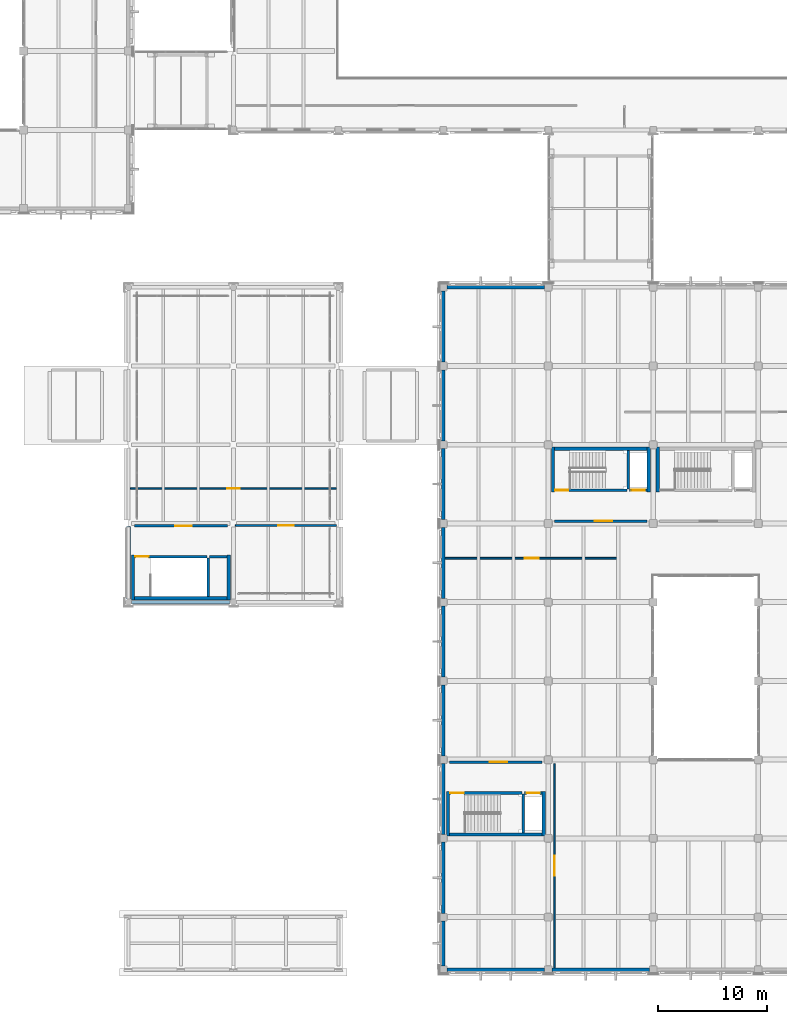
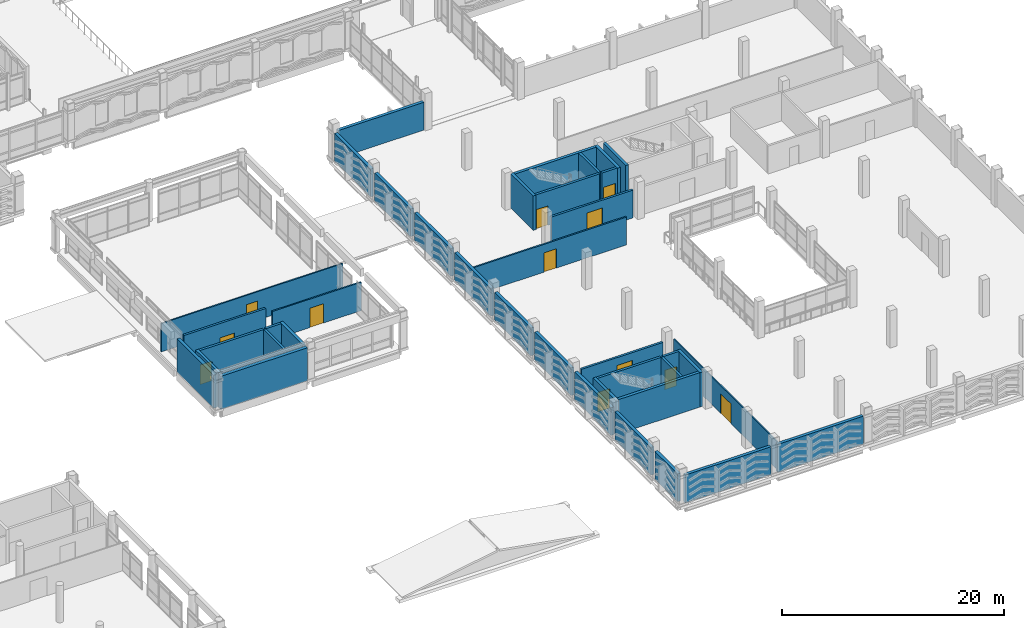
# One storey, part 153 of 180: 40 walls, 12 doors, 12 openings.
"""IFC4 building model written with IfcOpenShell, lengths in metres."""

from ifc_helpers import new_model, si_unit, direction, frame, frame_2d, origin, place, context, subcontext, project, spatial, rectangle, extrude, material, layer, layer_set, type_object, element, fill, save


model = new_model("IFC4")

# Units and contexts
model_context = context("Model", 3, precision=1e-05, world=origin(), true_north=direction((0.0, 1.0)))
body_context = subcontext(model_context, "Body", "Model", "MODEL_VIEW")
ifc_project = project(units=[si_unit("LENGTHUNIT", "METRE"), si_unit("AREAUNIT", "SQUARE_METRE"), si_unit("VOLUMEUNIT", "CUBIC_METRE"), si_unit("PLANEANGLEUNIT", "RADIAN"), si_unit("MASSUNIT", "GRAM", prefix="KILO")], contexts=[model_context])

# Site, building, storey
site_placement = place(None, origin())
site = spatial("IfcSite", under=ifc_project, at=site_placement, CompositionType="ELEMENT")
building_placement = place(site_placement, origin())
building = spatial("IfcBuilding", under=site, at=building_placement, Name="Asteropetra Specialist Clinic", CompositionType="ELEMENT")
storey_placement = place(building_placement, frame((0.0, 0.0, 4.419921875)))
storey = spatial("IfcBuildingStorey", under=building, at=storey_placement, Name="L01", CompositionType="ELEMENT", Elevation=4.419921875)

# Walls
ifc_material_1 = material(Name="Chevron aegean deep", Category="masonry")
ifc_layer_1 = layer(ifc_material_1, 0.31494140625)
ifc_layer_set_1 = layer_set([ifc_layer_1], Name="Chevron aegean deep")
wall_type_1 = type_object("IfcWallType", Name="EW-CHEV-AEG-315", PredefinedType="SOLIDWALL", material=ifc_layer_set_1)
wall_1_placement = place(storey_placement, frame((105.949951171875, 0.0, 0.0), z_axis=(0.0, 0.0, 1.0), x_axis=(1.0, 0.0, 0.0)))
element("IfcWall", 1, at=wall_1_placement, inside=storey, type_object=wall_type_1, Name="Exterior Wall EW-0204", PredefinedType="SOLIDWALL", context=body_context, shape_type="SweptSolid", body=[
    extrude(rectangle(XDim=8.900146484375, YDim=0.31494140625, at=frame_2d((4.4501953125, 0.0))), origin(), (0.0, 0.0, 1.0), 3.06005859375),
])
wall_2_placement = place(storey_placement, frame((114.85009765625, 62.39990234375, 0.0), z_axis=(0.0, 0.0, 1.0), x_axis=(-1.0, 0.0, 0.0)))
element("IfcWall", 2, at=wall_2_placement, inside=storey, type_object=wall_type_1, Name="Exterior Wall EW-0205", PredefinedType="SOLIDWALL", context=body_context, shape_type="SweptSolid", body=[
    extrude(rectangle(XDim=8.900146484375, YDim=0.31494140625, at=frame_2d((4.4501953125, 0.0))), origin(), (0.0, 0.0, 1.0), 3.050048828125),
])
wall_3_placement = place(storey_placement, frame((115.550048828125, 0.0, 0.0), z_axis=(0.0, 0.0, 1.0), x_axis=(1.0, 0.0, 0.0)))
element("IfcWall", 3, at=wall_3_placement, inside=storey, type_object=wall_type_1, Name="Exterior Wall EW-0206", PredefinedType="SOLIDWALL", context=body_context, shape_type="SweptSolid", body=[
    extrude(rectangle(XDim=8.89990234375, YDim=0.31494140625, at=frame_2d((4.449951171875, 0.0))), origin(), (0.0, 0.0, 1.0), 3.06005859375),
])
wall_4_placement = place(storey_placement, frame((105.60009765625, 4.449951171875, 0.0), z_axis=(0.0, 0.0, 1.0), x_axis=(0.0, -1.0, 0.0)))
element("IfcWall", 4, at=wall_4_placement, inside=storey, type_object=wall_type_1, Name="Exterior Wall EW-0213", PredefinedType="SOLIDWALL", context=body_context, shape_type="SweptSolid", body=[
    extrude(rectangle(XDim=4.099853515625, YDim=0.31494140625, at=frame_2d((2.0498046875, 0.0))), origin(), (0.0, 0.0, 1.0), 3.06005859375),
])
for number, where, z_axis, x_axis, name in (
    (5, (105.60009765625, 11.64990234375, 0.0), (0.0, 0.0, 1.0), (0.0, -1.0, 0.0), "Exterior Wall EW-0215"),
    (6, (105.60009765625, 18.85009765625, 0.0), (0.0, 0.0, 1.0), (0.0, -1.0, 0.0), "Exterior Wall EW-0217"),
    (7, (105.60009765625, 26.050048828125, 0.0), (0.0, 0.0, 1.0), (0.0, -1.0, 0.0), "Exterior Wall EW-0219"),
    (8, (105.60009765625, 33.25, 0.0), (0.0, 0.0, 1.0), (0.0, -1.0, 0.0), "Exterior Wall EW-0221"),
    (9, (105.60009765625, 40.449951171875, 0.0), (0.0, 0.0, 1.0), (0.0, -1.0, 0.0), "Exterior Wall EW-0223"),
    (10, (105.60009765625, 47.64990234375, 0.0), (0.0, 0.0, 1.0), (0.0, -1.0, 0.0), "Exterior Wall EW-0225"),
):
    element("IfcWall", number, at=place(storey_placement, frame(where, z_axis=z_axis, x_axis=x_axis)), inside=storey, type_object=wall_type_1, Name=name, PredefinedType="SOLIDWALL", context=body_context, shape_type="SweptSolid", body=[
        extrude(rectangle(XDim=6.5, YDim=0.31494140625, at=frame_2d((3.25, 0.0))), origin(), (0.0, 0.0, 1.0), 3.06005859375),
    ])
for number, where, z_axis, x_axis, name in (
    (11, (105.60009765625, 54.85009765625, 0.0), (0.0, 0.0, 1.0), (0.0, -1.0, 0.0), "Exterior Wall EW-0227"),
    (12, (105.60009765625, 62.050048828125, 0.0), (0.0, 0.0, 1.0), (0.0, -1.0, 0.0), "Exterior Wall EW-0229"),
):
    element("IfcWall", number, at=place(storey_placement, frame(where, z_axis=z_axis, x_axis=x_axis)), inside=storey, type_object=wall_type_1, Name=name, PredefinedType="SOLIDWALL", context=body_context, shape_type="SweptSolid", body=[
        extrude(rectangle(XDim=6.5, YDim=0.31494140625, at=frame_2d((3.25, 0.0))), origin(), (0.0, 0.0, 1.0), 3.050048828125),
    ])
ifc_material_2 = material(Name="Piraeus poros limestone", Category="masonry")
ifc_layer_2 = layer(ifc_material_2, 0.340087890625)
ifc_layer_set_2 = layer_set([ifc_layer_2], Name="Piraeus poros limestone")
wall_type_2 = type_object("IfcWallType", Name="EW-POROS-340", PredefinedType="SOLIDWALL", material=ifc_layer_set_2)
wall_5_placement = place(storey_placement, frame((77.10009765625, 33.60009765625, 0.0), z_axis=(0.0, 0.0, 1.0), x_axis=(1.0, 0.0, 0.0)))
element("IfcWall", 13, at=wall_5_placement, inside=storey, type_object=wall_type_2, Name="Exterior Wall EW-0044", PredefinedType="SOLIDWALL", context=body_context, shape_type="SweptSolid", body=[
    extrude(rectangle(XDim=9.0, YDim=0.340087890625, at=frame_2d((4.5, 0.0))), origin(), (0.0, 0.0, 1.0), 3.630126953125),
])
wall_6_placement = place(storey_placement, frame((76.800048828125, 40.52001953125, 0.0), z_axis=(0.0, 0.0, 1.0), x_axis=(0.0, -1.0, 0.0)))
element("IfcWall", 14, at=wall_6_placement, inside=storey, type_object=wall_type_2, Name="Exterior Wall EW-0045", PredefinedType="SOLIDWALL", context=body_context, shape_type="SweptSolid", body=[
    extrude(rectangle(XDim=6.6201171875, YDim=0.340087890625, at=frame_2d((3.31005859375, 0.0))), origin(), (0.0, 0.0, 1.0), 3.630126953125),
])

# Wall, opening, door
ifc_material_3 = material(Name="Fire-rated masonry and gypsum", Category="masonry")
ifc_layer_3 = layer(ifc_material_3, 0.219970703125)
ifc_layer_set_3 = layer_set([ifc_layer_3], Name="Fire-rated masonry and gypsum")
wall_type_3 = type_object("IfcWallType", Name="W-COMP-220", PredefinedType="PARTITIONING", material=ifc_layer_set_3)
wall_7_placement = place(storey_placement, frame((106.159912109375, 18.97998046875, 0.0), z_axis=(0.0, 0.0, 1.0), x_axis=(1.0, 0.0, 0.0)))
wall_7 = element("IfcWall", 15, at=wall_7_placement, inside=storey, type_object=wall_type_3, Name="Core Wall CW-C8-L01-LOB", PredefinedType="PARTITIONING", context=body_context, shape_type="SweptSolid", body=[
    extrude(rectangle(XDim=8.47998046875, YDim=0.219970703125, at=frame_2d((4.239990234375, 0.0))), origin(), (0.0, 0.0, 1.0), 3.06005859375),
])
opening_1_placement = place(wall_7_placement, frame((3.699951171875, 0.0, 0.0)))
opening_1 = element("IfcOpeningElement", 16, at=opening_1_placement, cuts=wall_7, Name="Opening FD-068", PredefinedType="OPENING", context=body_context, shape_type="SweptSolid", body=[
    extrude(rectangle(XDim=1.60009765625, YDim=2.199951171875, at=frame_2d((0.800048828125, 1.10009765625))), frame((0.0, 0.119873046875, 0.0), z_axis=(0.0, -1.0, 0.0), x_axis=(1.0, 0.0, 0.0)), (0.0, 0.0, 1.0), 0.239990234375),
])
ifc_material_4 = material(Name="Fire-rated steel and vision glass door", Category="steel")
door_type_1 = type_object("IfcDoorType", Name="FD-LOBBY-1600", OperationType="DOUBLE_DOOR_SINGLE_SWING", PredefinedType="DOOR", material=ifc_material_4)
door_1_placement = place(opening_1_placement, origin())
door_1 = element("IfcDoor", 17, at=door_1_placement, inside=storey, type_object=door_type_1, Name="Lobby Fire Door FD-068", OperationType="DOUBLE_DOOR_SINGLE_SWING", OverallHeight=2.199951171875, OverallWidth=1.60009765625, PredefinedType="DOOR", context=body_context, shape_type="SweptSolid", body=[
    extrude(rectangle(XDim=1.60009765625, YDim=2.199951171875, at=frame_2d((0.800048828125, 1.10009765625))), frame((0.0, 0.02490234375, 0.0), z_axis=(0.0, -1.0, 0.0), x_axis=(1.0, 0.0, 0.0)), (0.0, 0.0, 1.0), 0.050048828125),
])
fill(opening_1, door_1)

wall_8_placement = place(storey_placement, frame((115.760009765625, 41.02001953125, 0.0), z_axis=(0.0, 0.0, 1.0), x_axis=(1.0, 0.0, 0.0)))
wall_8 = element("IfcWall", 18, at=wall_8_placement, inside=storey, type_object=wall_type_3, Name="Core Wall CW-C10-L01-LOB", PredefinedType="PARTITIONING", context=body_context, shape_type="SweptSolid", body=[
    extrude(rectangle(XDim=8.47998046875, YDim=0.219970703125, at=frame_2d((4.239990234375, 0.0))), origin(), (0.0, 0.0, 1.0), 3.06005859375),
])
opening_2_placement = place(wall_8_placement, frame((3.699951171875, 0.0, 0.0)))
opening_2 = element("IfcOpeningElement", 19, at=opening_2_placement, cuts=wall_8, Name="Opening FD-088", PredefinedType="OPENING", context=body_context, shape_type="SweptSolid", body=[
    extrude(rectangle(XDim=1.60009765625, YDim=2.199951171875, at=frame_2d((0.800048828125, 1.10009765625))), frame((0.0, 0.119873046875, 0.0), z_axis=(0.0, -1.0, 0.0), x_axis=(1.0, 0.0, 0.0)), (0.0, 0.0, 1.0), 0.239990234375),
])
door_2_placement = place(opening_2_placement, origin())
door_2 = element("IfcDoor", 20, at=door_2_placement, inside=storey, type_object=door_type_1, Name="Lobby Fire Door FD-088", OperationType="DOUBLE_DOOR_SINGLE_SWING", OverallHeight=2.199951171875, OverallWidth=1.60009765625, PredefinedType="DOOR", context=body_context, shape_type="SweptSolid", body=[
    extrude(rectangle(XDim=1.60009765625, YDim=2.199951171875, at=frame_2d((0.800048828125, 1.10009765625))), frame((0.0, 0.02490234375, 0.0), z_axis=(0.0, -1.0, 0.0), x_axis=(1.0, 0.0, 0.0)), (0.0, 0.0, 1.0), 0.050048828125),
])
fill(opening_2, door_2)

wall_9_placement = place(storey_placement, frame((77.360107421875, 40.580078125, 0.0), z_axis=(0.0, 0.0, 1.0), x_axis=(1.0, 0.0, 0.0)))
wall_9 = element("IfcWall", 21, at=wall_9_placement, inside=storey, type_object=wall_type_3, Name="Core Wall CW-C13-L01-LOB", PredefinedType="PARTITIONING", context=body_context, shape_type="SweptSolid", body=[
    extrude(rectangle(XDim=8.47998046875, YDim=0.219970703125, at=frame_2d((4.239990234375, 0.0))), origin(), (0.0, 0.0, 1.0), 3.77001953125),
])
opening_3_placement = place(wall_9_placement, frame((3.699951171875, 0.0, 0.0)))
opening_3 = element("IfcOpeningElement", 22, at=opening_3_placement, cuts=wall_9, Name="Opening FD-106", PredefinedType="OPENING", context=body_context, shape_type="SweptSolid", body=[
    extrude(rectangle(XDim=1.550048828125, YDim=2.199951171875, at=frame_2d((0.77490234375, 1.10009765625))), frame((0.0, 0.119873046875, 0.0), z_axis=(0.0, -1.0, 0.0), x_axis=(1.0, 0.0, 0.0)), (0.0, 0.0, 1.0), 0.239990234375),
])
ifc_material_5 = material(Name="Fire-rated steel and vision glass door", Category="steel")
door_type_2 = type_object("IfcDoorType", Name="FD-LOBBY-1550", OperationType="DOUBLE_DOOR_SINGLE_SWING", PredefinedType="DOOR", material=ifc_material_5)
door_3_placement = place(opening_3_placement, origin())
door_3 = element("IfcDoor", 23, at=door_3_placement, inside=storey, type_object=door_type_2, Name="Lobby Fire Door FD-106", OperationType="DOUBLE_DOOR_SINGLE_SWING", OverallHeight=2.199951171875, OverallWidth=1.550048828125, PredefinedType="DOOR", context=body_context, shape_type="SweptSolid", body=[
    extrude(rectangle(XDim=1.550048828125, YDim=2.199951171875, at=frame_2d((0.77490234375, 1.10009765625))), frame((0.0, 0.02490234375, 0.0), z_axis=(0.0, -1.0, 0.0), x_axis=(1.0, 0.0, 0.0)), (0.0, 0.0, 1.0), 0.050048828125),
])
fill(opening_3, door_3)

# Walls
ifc_material_6 = material(Name="Concrete C35/45", Category="concrete")
ifc_layer_4 = layer(ifc_material_6, 0.300048828125)
ifc_layer_set_4 = layer_set([ifc_layer_4], Name="Concrete C35/45")
wall_type_4 = type_object("IfcWallType", Name="W-CORE-300", PredefinedType="SHEAR", material=ifc_layer_set_4)
for number, where, z_axis, x_axis, name in (
    (24, (106.02001953125, 12.2099609375, 0.0), (0.0, 0.0, 1.0), (0.0, 1.0, 0.0), "Core Wall CW-C8-L01-W"),
    (25, (114.780029296875, 12.2099609375, 0.0), (0.0, 0.0, 1.0), (0.0, 1.0, 0.0), "Core Wall CW-C8-L01-E"),
):
    element("IfcWall", number, at=place(storey_placement, frame(where, z_axis=z_axis, x_axis=x_axis)), inside=storey, type_object=wall_type_4, Name=name, PredefinedType="SHEAR", context=body_context, shape_type="SweptSolid", body=[
        extrude(rectangle(XDim=4.10009765625, YDim=0.300048828125, at=frame_2d((2.050048828125, 0.0))), origin(), (0.0, 0.0, 1.0), 3.780029296875),
    ])
wall_10_placement = place(storey_placement, frame((106.1650390625, 12.360107421875, 0.0), z_axis=(0.0, 0.0, 1.0), x_axis=(1.0, 0.0, 0.0)))
element("IfcWall", 26, at=wall_10_placement, inside=storey, type_object=wall_type_4, Name="Core Wall CW-C8-L01-BACK", PredefinedType="SHEAR", context=body_context, shape_type="SweptSolid", body=[
    extrude(rectangle(XDim=8.469970703125, YDim=0.300048828125, at=frame_2d((4.23486328125, 0.0))), origin(), (0.0, 0.0, 1.0), 3.780029296875),
])
for number, where, z_axis, x_axis, name in (
    (27, (125.219970703125, 43.68994140625, 0.0), (0.0, 0.0, 1.0), (0.0, 1.0, 0.0), "Core Wall CW-C9-L01-W"),
    (28, (115.6201171875, 43.68994140625, 0.0), (0.0, 0.0, 1.0), (0.0, 1.0, 0.0), "Core Wall CW-C10-L01-W"),
    (29, (124.3798828125, 43.68994140625, 0.0), (0.0, 0.0, 1.0), (0.0, 1.0, 0.0), "Core Wall CW-C10-L01-E"),
):
    element("IfcWall", number, at=place(storey_placement, frame(where, z_axis=z_axis, x_axis=x_axis)), inside=storey, type_object=wall_type_4, Name=name, PredefinedType="SHEAR", context=body_context, shape_type="SweptSolid", body=[
        extrude(rectangle(XDim=4.10009765625, YDim=0.300048828125, at=frame_2d((2.050048828125, 0.0))), origin(), (0.0, 0.0, 1.0), 3.780029296875),
    ])
wall_11_placement = place(storey_placement, frame((115.764892578125, 47.639892578125, 0.0), z_axis=(0.0, 0.0, 1.0), x_axis=(1.0, 0.0, 0.0)))
element("IfcWall", 30, at=wall_11_placement, inside=storey, type_object=wall_type_4, Name="Core Wall CW-C10-L01-BACK", PredefinedType="SHEAR", context=body_context, shape_type="SweptSolid", body=[
    extrude(rectangle(XDim=8.47021484375, YDim=0.300048828125, at=frame_2d((4.235107421875, 0.0))), origin(), (0.0, 0.0, 1.0), 3.780029296875),
])
for number, where, z_axis, x_axis, name in (
    (31, (77.219970703125, 33.81005859375, 0.0), (0.0, 0.0, 1.0), (0.0, 1.0, 0.0), "Core Wall CW-C13-L01-W"),
    (32, (85.97998046875, 33.81005859375, 0.0), (0.0, 0.0, 1.0), (0.0, 1.0, 0.0), "Core Wall CW-C13-L01-E"),
):
    element("IfcWall", number, at=place(storey_placement, frame(where, z_axis=z_axis, x_axis=x_axis)), inside=storey, type_object=wall_type_4, Name=name, PredefinedType="SHEAR", context=body_context, shape_type="SweptSolid", body=[
        extrude(rectangle(XDim=4.099853515625, YDim=0.300048828125, at=frame_2d((2.0498046875, 0.0))), origin(), (0.0, 0.0, 1.0), 3.820068359375),
    ])
wall_12_placement = place(storey_placement, frame((77.364990234375, 33.9599609375, 0.0), z_axis=(0.0, 0.0, 1.0), x_axis=(1.0, 0.0, 0.0)))
element("IfcWall", 33, at=wall_12_placement, inside=storey, type_object=wall_type_4, Name="Core Wall CW-C13-L01-BACK", PredefinedType="SHEAR", context=body_context, shape_type="SweptSolid", body=[
    extrude(rectangle(XDim=8.469970703125, YDim=0.300048828125, at=frame_2d((4.23486328125, 0.0))), origin(), (0.0, 0.0, 1.0), 3.820068359375),
])

# Wall, opening, door
ifc_material_7 = material(Name="Light partition", Category="masonry")
ifc_layer_5 = layer(ifc_material_7, 0.1201171875)
ifc_layer_set_5 = layer_set([ifc_layer_5], Name="Light partition")
wall_type_5 = type_object("IfcWallType", Name="W-PART-120", PredefinedType="PARTITIONING", material=ifc_layer_set_5)
wall_13_placement = place(storey_placement, frame((115.780029296875, 0.159423828125, 0.0), z_axis=(0.0, 0.0, 1.0), x_axis=(0.0, 1.0, 0.0)))
wall_13 = element("IfcWall", 34, at=wall_13_placement, inside=storey, type_object=wall_type_5, Name="Interior Partition PW-0114", PredefinedType="PARTITIONING", context=body_context, shape_type="SweptSolid", body=[
    extrude(rectangle(XDim=18.685546875, YDim=0.1201171875, at=frame_2d((9.3427734375, 0.0))), origin(), (0.0, 0.0, 1.0), 3.06005859375),
])
opening_4_placement = place(wall_13_placement, frame((8.417724609375, 0.0, 0.0)))
opening_4 = element("IfcOpeningElement", 35, at=opening_4_placement, cuts=wall_13, Name="Opening ID-0074", PredefinedType="OPENING", context=body_context, shape_type="SweptSolid", body=[
    extrude(rectangle(XDim=1.85009765625, YDim=2.179931640625, at=frame_2d((0.925048828125, 1.08984375))), frame((0.0, 0.070068359375, 0.0), z_axis=(0.0, -1.0, 0.0), x_axis=(1.0, 0.0, 0.0)), (0.0, 0.0, 1.0), 0.14013671875),
])
ifc_material_8 = material(Name="Antimicrobial laminate timber leaf in steel frame", Category="steel")
door_type_3 = type_object("IfcDoorType", Name="ID-LECT-1850", OperationType="DOUBLE_DOOR_SINGLE_SWING", PredefinedType="DOOR", material=ifc_material_8)
door_4_placement = place(opening_4_placement, origin())
door_4 = element("IfcDoor", 36, at=door_4_placement, inside=storey, type_object=door_type_3, Name="Interior Door ID-0074", OperationType="DOUBLE_DOOR_SINGLE_SWING", OverallHeight=2.179931640625, OverallWidth=1.85009765625, PredefinedType="DOOR", context=body_context, shape_type="SweptSolid", body=[
    extrude(rectangle(XDim=1.85009765625, YDim=2.179931640625, at=frame_2d((0.925048828125, 1.08984375))), frame((0.0, 0.02490234375, 0.0), z_axis=(0.0, -1.0, 0.0), x_axis=(1.0, 0.0, 0.0)), (0.0, 0.0, 1.0), 0.050048828125),
])
fill(opening_4, door_4)

ifc_material_9 = material(Name="Laboratory partition", Category="masonry")
ifc_layer_6 = layer(ifc_material_9, 0.139892578125)
ifc_layer_set_6 = layer_set([ifc_layer_6], Name="Laboratory partition")
wall_type_6 = type_object("IfcWallType", Name="W-PART-140", PredefinedType="PARTITIONING", material=ifc_layer_set_6)
wall_14_placement = place(storey_placement, frame((76.97998046875, 43.97998046875, 0.0), z_axis=(0.0, 0.0, 1.0), x_axis=(1.0, 0.0, 0.0)))
wall_14 = element("IfcWall", 37, at=wall_14_placement, inside=storey, type_object=wall_type_6, Name="Interior Partition PW-0102", PredefinedType="PARTITIONING", context=body_context, shape_type="SweptSolid", body=[
    extrude(rectangle(XDim=18.840087890625, YDim=0.139892578125, at=frame_2d((9.419921875, 0.0))), origin(), (0.0, 0.0, 1.0), 3.1201171875),
])
opening_5_placement = place(wall_14_placement, frame((8.844970703125, 0.0, 0.0)))
opening_5 = element("IfcOpeningElement", 38, at=opening_5_placement, cuts=wall_14, Name="Opening ID-0062", PredefinedType="OPENING", context=body_context, shape_type="SweptSolid", body=[
    extrude(rectangle(XDim=1.14990234375, YDim=2.10009765625, at=frame_2d((0.574951171875, 1.050048828125))), frame((0.0, 0.079833984375, 0.0), z_axis=(0.0, -1.0, 0.0), x_axis=(1.0, 0.0, 0.0)), (0.0, 0.0, 1.0), 0.159912109375),
])
ifc_material_10 = material(Name="Antimicrobial laminate timber leaf in steel frame", Category="steel")
door_type_4 = type_object("IfcDoorType", Name="ID-CONS-1150", OperationType="SINGLE_SWING_LEFT", PredefinedType="DOOR", material=ifc_material_10)
door_5_placement = place(opening_5_placement, origin())
door_5 = element("IfcDoor", 39, at=door_5_placement, inside=storey, type_object=door_type_4, Name="Interior Door ID-0062", OperationType="SINGLE_SWING_LEFT", OverallHeight=2.10009765625, OverallWidth=1.14990234375, PredefinedType="DOOR", context=body_context, shape_type="SweptSolid", body=[
    extrude(rectangle(XDim=1.14990234375, YDim=2.10009765625, at=frame_2d((0.574951171875, 1.050048828125))), frame((0.0, 0.02490234375, 0.0), z_axis=(0.0, -1.0, 0.0), x_axis=(1.0, 0.0, 0.0)), (0.0, 0.0, 1.0), 0.050048828125),
])
fill(opening_5, door_5)

ifc_material_11 = material(Name="Clinical consulting partition", Category="masonry")
ifc_layer_7 = layer(ifc_material_11, 0.14990234375)
ifc_layer_set_7 = layer_set([ifc_layer_7], Name="Clinical consulting partition")
wall_type_7 = type_object("IfcWallType", Name="W-PART-150", PredefinedType="PARTITIONING", material=ifc_layer_set_7)
wall_15_placement = place(storey_placement, frame((86.580078125, 40.6201171875, 0.0), z_axis=(0.0, 0.0, 1.0), x_axis=(1.0, 0.0, 0.0)))
wall_15 = element("IfcWall", 40, at=wall_15_placement, inside=storey, type_object=wall_type_7, Name="Interior Partition PW-0101", PredefinedType="PARTITIONING", context=body_context, shape_type="SweptSolid", body=[
    extrude(rectangle(XDim=9.239990234375, YDim=0.14990234375, at=frame_2d((4.6201171875, 0.0))), origin(), (0.0, 0.0, 1.0), 3.1201171875),
])
opening_6_placement = place(wall_15_placement, frame((3.919921875, 0.0, 0.0)))
opening_6 = element("IfcOpeningElement", 41, at=opening_6_placement, cuts=wall_15, Name="Opening ID-0061", PredefinedType="OPENING", context=body_context, shape_type="SweptSolid", body=[
    extrude(rectangle(XDim=1.39990234375, YDim=2.1201171875, at=frame_2d((0.699951171875, 1.06005859375))), frame((0.0, 0.0849609375, 0.0), z_axis=(0.0, -1.0, 0.0), x_axis=(1.0, 0.0, 0.0)), (0.0, 0.0, 1.0), 0.169921875),
])
ifc_material_12 = material(Name="Antimicrobial laminate timber leaf in steel frame", Category="steel")
door_type_5 = type_object("IfcDoorType", Name="ID-WARD-1400", OperationType="NOTDEFINED", PredefinedType="DOOR", material=ifc_material_12)
door_6_placement = place(opening_6_placement, origin())
door_6 = element("IfcDoor", 42, at=door_6_placement, inside=storey, type_object=door_type_5, Name="Interior Door ID-0061", OperationType="SINGLE_SWING_RIGHT", OverallHeight=2.1201171875, OverallWidth=1.39990234375, PredefinedType="DOOR", context=body_context, shape_type="SweptSolid", body=[
    extrude(rectangle(XDim=1.39990234375, YDim=2.1201171875, at=frame_2d((0.699951171875, 1.06005859375))), frame((0.0, 0.02490234375, 0.0), z_axis=(0.0, -1.0, 0.0), x_axis=(1.0, 0.0, 0.0)), (0.0, 0.0, 1.0), 0.050048828125),
])
fill(opening_6, door_6)

ifc_material_13 = material(Name="Acoustic clinical stud partition", Category="masonry")
ifc_layer_8 = layer(ifc_material_13, 0.159912109375)
ifc_layer_set_8 = layer_set([ifc_layer_8], Name="Acoustic clinical stud partition")
wall_type_8 = type_object("IfcWallType", Name="W-PART-160", PredefinedType="PARTITIONING", material=ifc_layer_set_8)
wall_16_placement = place(storey_placement, frame((105.759521484375, 37.6201171875, 0.0), z_axis=(0.0, 0.0, 1.0), x_axis=(1.0, 0.0, 0.0)))
wall_16 = element("IfcWall", 43, at=wall_16_placement, inside=storey, type_object=wall_type_8, Name="Interior Partition PW-0115", PredefinedType="PARTITIONING", context=body_context, shape_type="SweptSolid", body=[
    extrude(rectangle(XDim=15.860595703125, YDim=0.159912109375, at=frame_2d((7.93017578125, 0.0))), origin(), (0.0, 0.0, 1.0), 3.06005859375),
])
opening_7_placement = place(wall_16_placement, frame((7.305419921875, 0.0, 0.0)))
opening_7 = element("IfcOpeningElement", 44, at=opening_7_placement, cuts=wall_16, Name="Opening ID-0075", PredefinedType="OPENING", context=body_context, shape_type="SweptSolid", body=[
    extrude(rectangle(XDim=1.25, YDim=2.1201171875, at=frame_2d((0.625, 1.06005859375))), frame((0.0, 0.08984375, 0.0), z_axis=(0.0, -1.0, 0.0), x_axis=(1.0, 0.0, 0.0)), (0.0, 0.0, 1.0), 0.179931640625),
])
ifc_material_14 = material(Name="Antimicrobial laminate timber leaf in steel frame", Category="steel")
door_type_6 = type_object("IfcDoorType", Name="ID-SEMIN-1250", OperationType="NOTDEFINED", PredefinedType="DOOR", material=ifc_material_14)
door_7_placement = place(opening_7_placement, origin())
door_7 = element("IfcDoor", 45, at=door_7_placement, inside=storey, type_object=door_type_6, Name="Interior Door ID-0075", OperationType="SINGLE_SWING_RIGHT", OverallHeight=2.1201171875, OverallWidth=1.25, PredefinedType="DOOR", context=body_context, shape_type="SweptSolid", body=[
    extrude(rectangle(XDim=1.25, YDim=2.1201171875, at=frame_2d((0.625, 1.06005859375))), frame((0.0, 0.02490234375, 0.0), z_axis=(0.0, -1.0, 0.0), x_axis=(1.0, 0.0, 0.0)), (0.0, 0.0, 1.0), 0.050048828125),
])
fill(opening_7, door_7)

# Wall
ifc_material_15 = material(Name="Concrete C35/45", Category="concrete")
ifc_layer_9 = layer(ifc_material_15, 0.25)
ifc_layer_set_9 = layer_set([ifc_layer_9], Name="Concrete C35/45")
wall_type_9 = type_object("IfcWallType", Name="W-SHAFT-250", PredefinedType="SHEAR", material=ifc_layer_set_9)
wall_17_placement = place(storey_placement, frame((112.89990234375, 12.510009765625, 0.0), z_axis=(0.0, 0.0, 1.0), x_axis=(0.0, 1.0, 0.0)))
element("IfcWall", 46, at=wall_17_placement, inside=storey, type_object=wall_type_9, Name="Core Wall CW-C8-L01-MID", PredefinedType="SHEAR", context=body_context, shape_type="SweptSolid", body=[
    extrude(rectangle(XDim=3.530029296875, YDim=0.25, at=frame_2d((1.76513671875, 0.0))), origin(), (0.0, 0.0, 1.0), 3.780029296875),
])

# Wall, opening, door
wall_18_placement = place(storey_placement, frame((106.1650390625, 16.159912109375, 0.0), z_axis=(0.0, 0.0, 1.0), x_axis=(1.0, 0.0, 0.0)))
wall_18 = element("IfcWall", 47, at=wall_18_placement, inside=storey, type_object=wall_type_9, Name="Core Wall CW-C8-L01-STDIV", PredefinedType="SHEAR", context=body_context, shape_type="SweptSolid", body=[
    extrude(rectangle(XDim=6.614990234375, YDim=0.25, at=frame_2d((3.3076171875, 0.0))), origin(), (0.0, 0.0, 1.0), 3.780029296875),
])
opening_8_placement = place(wall_18_placement, frame((0.080078125, 0.0, 0.0)))
opening_8 = element("IfcOpeningElement", 48, at=opening_8_placement, cuts=wall_18, Name="Opening FD-067", PredefinedType="OPENING", context=body_context, shape_type="SweptSolid", body=[
    extrude(rectangle(XDim=1.239990234375, YDim=2.14990234375, at=frame_2d((0.6201171875, 1.074951171875))), frame((0.0, 0.135009765625, 0.0), z_axis=(0.0, -1.0, 0.0), x_axis=(1.0, 0.0, 0.0)), (0.0, 0.0, 1.0), 0.27001953125),
])
ifc_material_16 = material(Name="Fire-rated steel and vision glass door", Category="steel")
door_type_7 = type_object("IfcDoorType", Name="FD-STAIR-1400", OperationType="DOUBLE_DOOR_SINGLE_SWING", PredefinedType="DOOR", material=ifc_material_16)
door_8_placement = place(opening_8_placement, origin())
door_8 = element("IfcDoor", 49, at=door_8_placement, inside=storey, type_object=door_type_7, Name="Stair Fire Door FD-067", OperationType="DOUBLE_DOOR_SINGLE_SWING", OverallHeight=2.14990234375, OverallWidth=1.239990234375, PredefinedType="DOOR", context=body_context, shape_type="SweptSolid", body=[
    extrude(rectangle(XDim=1.239990234375, YDim=2.14990234375, at=frame_2d((0.6201171875, 1.074951171875))), frame((0.0, 0.02490234375, 0.0), z_axis=(0.0, -1.0, 0.0), x_axis=(1.0, 0.0, 0.0)), (0.0, 0.0, 1.0), 0.050048828125),
])
fill(opening_8, door_8)

wall_19_placement = place(storey_placement, frame((113.02001953125, 16.159912109375, 0.0), z_axis=(0.0, 0.0, 1.0), x_axis=(1.0, 0.0, 0.0)))
wall_19 = element("IfcWall", 50, at=wall_19_placement, inside=storey, type_object=wall_type_9, Name="Lift Shaft Front Wall CW-C8-L01-LFTF", PredefinedType="SHEAR", context=body_context, shape_type="SweptSolid", body=[
    extrude(rectangle(XDim=1.614990234375, YDim=0.25, at=frame_2d((0.8076171875, 0.0))), origin(), (0.0, 0.0, 1.0), 3.780029296875),
])
opening_9_placement = place(wall_19_placement, frame((0.20751953125, 0.0, 0.0)))
opening_9 = element("IfcOpeningElement", 51, at=opening_9_placement, cuts=wall_19, Name="Opening LD-034", PredefinedType="OPENING", context=body_context, shape_type="SweptSolid", body=[
    extrude(rectangle(XDim=1.199951171875, YDim=2.14990234375, at=frame_2d((0.60009765625, 1.074951171875))), frame((0.0, 0.135009765625, 0.0), z_axis=(0.0, -1.0, 0.0), x_axis=(1.0, 0.0, 0.0)), (0.0, 0.0, 1.0), 0.27001953125),
])
ifc_material_17 = material(Name="Brushed stainless steel sliding lift landing door", Category="steel")
door_type_8 = type_object("IfcDoorType", Name="LD-FF-1200", OperationType="DOUBLE_DOOR_SLIDING", PredefinedType="DOOR", material=ifc_material_17)
door_9_placement = place(opening_9_placement, origin())
door_9 = element("IfcDoor", 52, at=door_9_placement, inside=storey, type_object=door_type_8, Name="Lift Landing Door LD-034", OperationType="DOUBLE_DOOR_SLIDING", OverallHeight=2.14990234375, OverallWidth=1.199951171875, PredefinedType="DOOR", context=body_context, shape_type="SweptSolid", body=[
    extrude(rectangle(XDim=1.199951171875, YDim=2.14990234375, at=frame_2d((0.60009765625, 1.074951171875))), frame((0.0, 0.02490234375, 0.0), z_axis=(0.0, -1.0, 0.0), x_axis=(1.0, 0.0, 0.0)), (0.0, 0.0, 1.0), 0.050048828125),
])
fill(opening_9, door_9)

# Wall
wall_20_placement = place(storey_placement, frame((122.5, 43.9599609375, 0.0), z_axis=(0.0, 0.0, 1.0), x_axis=(0.0, 1.0, 0.0)))
element("IfcWall", 53, at=wall_20_placement, inside=storey, type_object=wall_type_9, Name="Core Wall CW-C10-L01-MID", PredefinedType="SHEAR", context=body_context, shape_type="SweptSolid", body=[
    extrude(rectangle(XDim=3.530029296875, YDim=0.25, at=frame_2d((1.76513671875, 0.0))), origin(), (0.0, 0.0, 1.0), 3.780029296875),
])

# Wall, opening, door
wall_21_placement = place(storey_placement, frame((115.764892578125, 43.840087890625, 0.0), z_axis=(0.0, 0.0, 1.0), x_axis=(1.0, 0.0, 0.0)))
wall_21 = element("IfcWall", 54, at=wall_21_placement, inside=storey, type_object=wall_type_9, Name="Core Wall CW-C10-L01-STDIV", PredefinedType="SHEAR", context=body_context, shape_type="SweptSolid", body=[
    extrude(rectangle(XDim=6.614990234375, YDim=0.25, at=frame_2d((3.3076171875, 0.0))), origin(), (0.0, 0.0, 1.0), 3.780029296875),
])
opening_10_placement = place(wall_21_placement, frame((0.080078125, 0.0, 0.0)))
opening_10 = element("IfcOpeningElement", 55, at=opening_10_placement, cuts=wall_21, Name="Opening FD-087", PredefinedType="OPENING", context=body_context, shape_type="SweptSolid", body=[
    extrude(rectangle(XDim=1.199951171875, YDim=2.14990234375, at=frame_2d((0.60009765625, 1.074951171875))), frame((0.0, 0.135009765625, 0.0), z_axis=(0.0, -1.0, 0.0), x_axis=(1.0, 0.0, 0.0)), (0.0, 0.0, 1.0), 0.27001953125),
])
ifc_material_18 = material(Name="Fire-rated steel and vision glass door", Category="steel")
door_type_9 = type_object("IfcDoorType", Name="FD-STAIR-1350", OperationType="DOUBLE_DOOR_SINGLE_SWING", PredefinedType="DOOR", material=ifc_material_18)
door_10_placement = place(opening_10_placement, origin())
door_10 = element("IfcDoor", 56, at=door_10_placement, inside=storey, type_object=door_type_9, Name="Stair Fire Door FD-087", OperationType="DOUBLE_DOOR_SINGLE_SWING", OverallHeight=2.14990234375, OverallWidth=1.199951171875, PredefinedType="DOOR", context=body_context, shape_type="SweptSolid", body=[
    extrude(rectangle(XDim=1.199951171875, YDim=2.14990234375, at=frame_2d((0.60009765625, 1.074951171875))), frame((0.0, 0.02490234375, 0.0), z_axis=(0.0, -1.0, 0.0), x_axis=(1.0, 0.0, 0.0)), (0.0, 0.0, 1.0), 0.050048828125),
])
fill(opening_10, door_10)

wall_22_placement = place(storey_placement, frame((122.6201171875, 43.840087890625, 0.0), z_axis=(0.0, 0.0, 1.0), x_axis=(1.0, 0.0, 0.0)))
wall_22 = element("IfcWall", 57, at=wall_22_placement, inside=storey, type_object=wall_type_9, Name="Lift Shaft Front Wall CW-C10-L01-LFTF", PredefinedType="SHEAR", context=body_context, shape_type="SweptSolid", body=[
    extrude(rectangle(XDim=1.614990234375, YDim=0.25, at=frame_2d((0.8076171875, 0.0))), origin(), (0.0, 0.0, 1.0), 3.780029296875),
])
opening_11_placement = place(wall_22_placement, frame((0.1826171875, 0.0, 0.0)))
opening_11 = element("IfcOpeningElement", 58, at=opening_11_placement, cuts=wall_22, Name="Opening LD-044", PredefinedType="OPENING", context=body_context, shape_type="SweptSolid", body=[
    extrude(rectangle(XDim=1.25, YDim=2.14990234375, at=frame_2d((0.625, 1.074951171875))), frame((0.0, 0.135009765625, 0.0), z_axis=(0.0, -1.0, 0.0), x_axis=(1.0, 0.0, 0.0)), (0.0, 0.0, 1.0), 0.27001953125),
])
ifc_material_19 = material(Name="Brushed stainless steel sliding lift landing door", Category="steel")
door_type_10 = type_object("IfcDoorType", Name="LD-SERV-1250", OperationType="DOUBLE_DOOR_SLIDING", PredefinedType="DOOR", material=ifc_material_19)
door_11_placement = place(opening_11_placement, origin())
door_11 = element("IfcDoor", 59, at=door_11_placement, inside=storey, type_object=door_type_10, Name="Lift Landing Door LD-044", OperationType="DOUBLE_DOOR_SLIDING", OverallHeight=2.14990234375, OverallWidth=1.25, PredefinedType="DOOR", context=body_context, shape_type="SweptSolid", body=[
    extrude(rectangle(XDim=1.25, YDim=2.14990234375, at=frame_2d((0.625, 1.074951171875))), frame((0.0, 0.02490234375, 0.0), z_axis=(0.0, -1.0, 0.0), x_axis=(1.0, 0.0, 0.0)), (0.0, 0.0, 1.0), 0.050048828125),
])
fill(opening_11, door_11)

# Wall
wall_23_placement = place(storey_placement, frame((84.10009765625, 34.110107421875, 0.0), z_axis=(0.0, 0.0, 1.0), x_axis=(0.0, 1.0, 0.0)))
element("IfcWall", 60, at=wall_23_placement, inside=storey, type_object=wall_type_9, Name="Core Wall CW-C13-L01-MID", PredefinedType="SHEAR", context=body_context, shape_type="SweptSolid", body=[
    extrude(rectangle(XDim=3.52978515625, YDim=0.25, at=frame_2d((1.764892578125, 0.0))), origin(), (0.0, 0.0, 1.0), 3.820068359375),
])

# Wall, opening, door
wall_24_placement = place(storey_placement, frame((77.364990234375, 37.760009765625, 0.0), z_axis=(0.0, 0.0, 1.0), x_axis=(1.0, 0.0, 0.0)))
wall_24 = element("IfcWall", 61, at=wall_24_placement, inside=storey, type_object=wall_type_9, Name="Core Wall CW-C13-L01-STDIV", PredefinedType="SHEAR", context=body_context, shape_type="SweptSolid", body=[
    extrude(rectangle(XDim=6.614990234375, YDim=0.25, at=frame_2d((3.3076171875, 0.0))), origin(), (0.0, 0.0, 1.0), 3.820068359375),
])
opening_12_placement = place(wall_24_placement, frame((0.080078125, 0.0, 0.0)))
opening_12 = element("IfcOpeningElement", 62, at=opening_12_placement, cuts=wall_24, Name="Opening FD-105", PredefinedType="OPENING", context=body_context, shape_type="SweptSolid", body=[
    extrude(rectangle(XDim=1.199951171875, YDim=2.14990234375, at=frame_2d((0.60009765625, 1.074951171875))), frame((0.0, 0.135009765625, 0.0), z_axis=(0.0, -1.0, 0.0), x_axis=(1.0, 0.0, 0.0)), (0.0, 0.0, 1.0), 0.27001953125),
])
door_12_placement = place(opening_12_placement, origin())
door_12 = element("IfcDoor", 63, at=door_12_placement, inside=storey, type_object=door_type_9, Name="Stair Fire Door FD-105", OperationType="DOUBLE_DOOR_SINGLE_SWING", OverallHeight=2.14990234375, OverallWidth=1.199951171875, PredefinedType="DOOR", context=body_context, shape_type="SweptSolid", body=[
    extrude(rectangle(XDim=1.199951171875, YDim=2.14990234375, at=frame_2d((0.60009765625, 1.074951171875))), frame((0.0, 0.02490234375, 0.0), z_axis=(0.0, -1.0, 0.0), x_axis=(1.0, 0.0, 0.0)), (0.0, 0.0, 1.0), 0.050048828125),
])
fill(opening_12, door_12)

# Wall
wall_25_placement = place(storey_placement, frame((84.219970703125, 37.760009765625, 0.0), z_axis=(0.0, 0.0, 1.0), x_axis=(1.0, 0.0, 0.0)))
element("IfcWall", 64, at=wall_25_placement, inside=storey, type_object=wall_type_9, Name="Lift Shaft Front Wall CW-C13-L01-LFTF", PredefinedType="SHEAR", context=body_context, shape_type="SweptSolid", body=[
    extrude(rectangle(XDim=1.614990234375, YDim=0.25, at=frame_2d((0.8076171875, 0.0))), origin(), (0.0, 0.0, 1.0), 3.820068359375),
])

save(model, "model.ifc")
